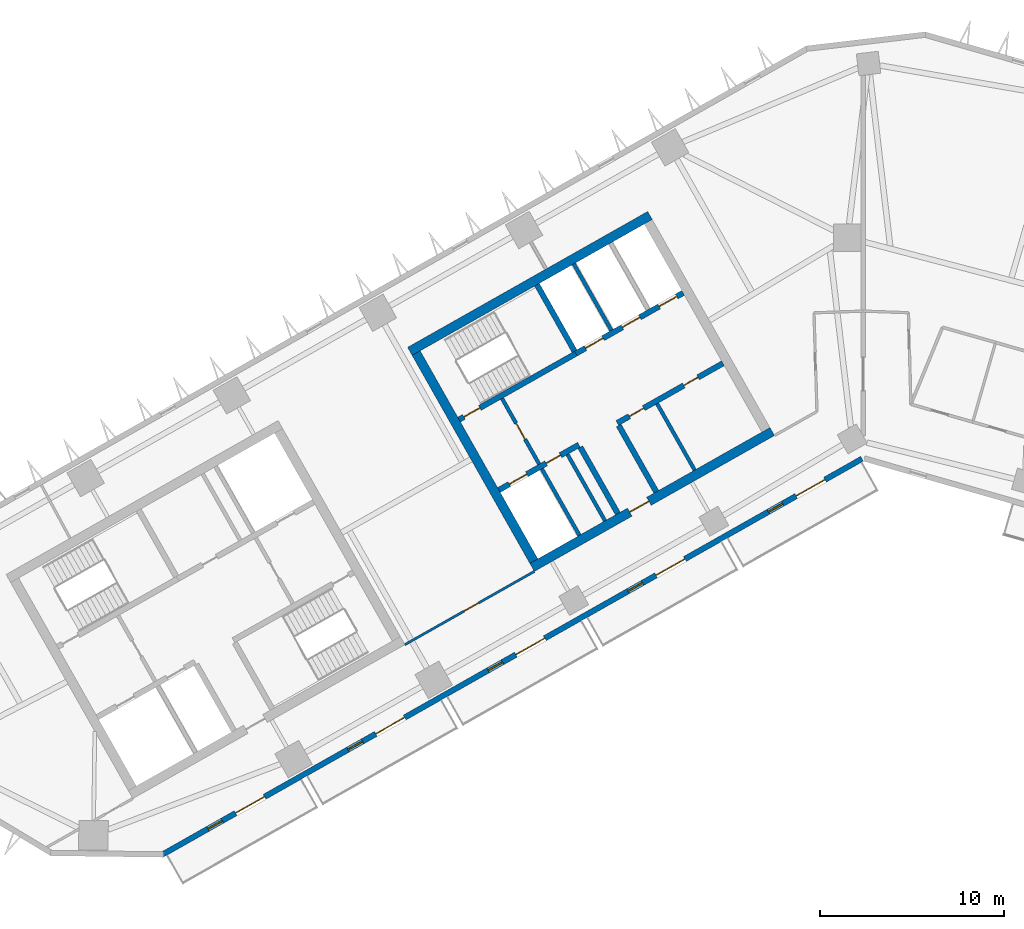
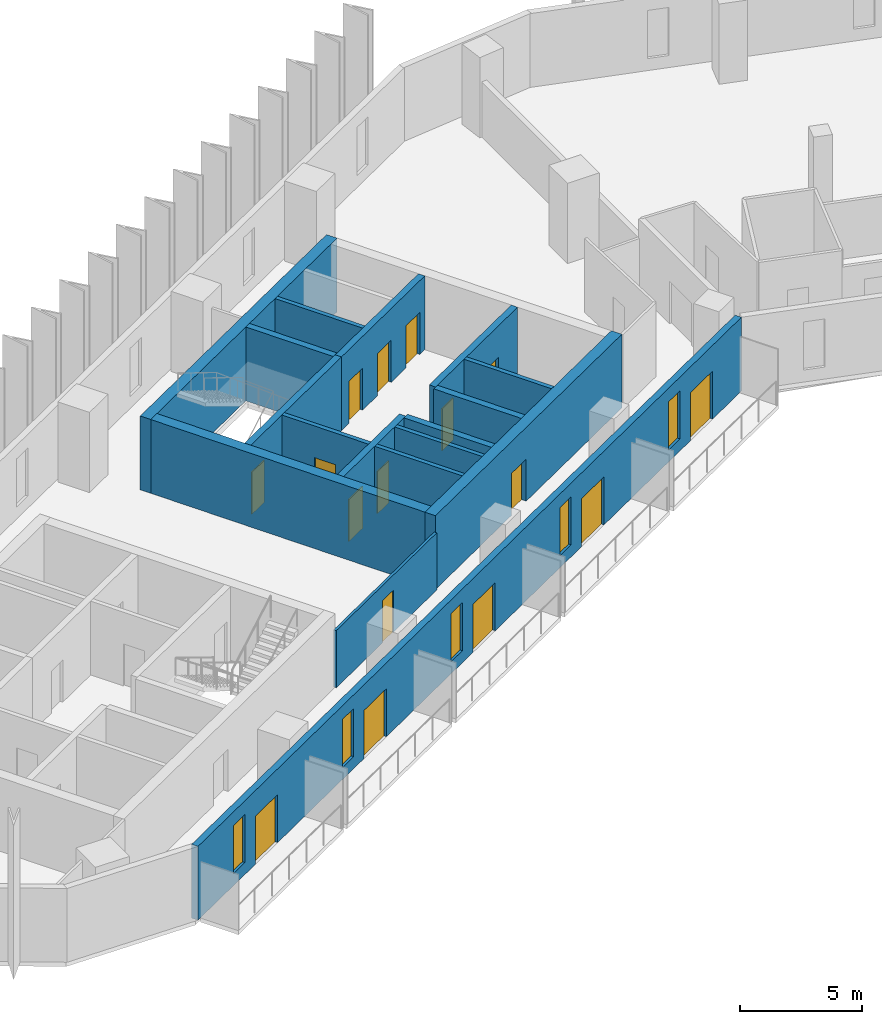
# One storey, part 4 of 10: 17 walls, 16 doors, 5 windows, 21 openings.
"""IFC4 building model written with IfcOpenShell, lengths in metres."""

from ifc_helpers import new_model, si_unit, direction, frame, frame_2d, origin, place, context, subcontext, project, spatial, rectangle, extrude, material, layer, layer_set, type_object, element, fill, save


model = new_model("IFC4")

# Units and contexts
model_context = context("Model", 3, precision=1e-05, world=origin(), true_north=direction((0.0, 1.0)))
body_context = subcontext(model_context, "Body", "Model", "MODEL_VIEW")
ifc_project = project(units=[si_unit("LENGTHUNIT", "METRE"), si_unit("AREAUNIT", "SQUARE_METRE"), si_unit("VOLUMEUNIT", "CUBIC_METRE"), si_unit("PLANEANGLEUNIT", "RADIAN"), si_unit("MASSUNIT", "GRAM", prefix="KILO")], contexts=[model_context])

# Site, building, storey
site_placement = place(None, origin())
site = spatial("IfcSite", under=ifc_project, at=site_placement, CompositionType="ELEMENT")
building_placement = place(site_placement, origin())
building = spatial("IfcBuilding", under=site, at=building_placement, Name="Binnacle Exchange Tower", CompositionType="ELEMENT")
storey_placement = place(building_placement, frame((0.0, 0.0, 170.89990234375)))
storey = spatial("IfcBuildingStorey", under=building, at=storey_placement, Name="L36", CompositionType="ELEMENT", Elevation=170.89990234375)

# Wall
ifc_material_1 = material(Name="Gypsum partition fire rated")
ifc_layer_1 = layer(ifc_material_1, 0.199951171875)
ifc_layer_set_1 = layer_set([ifc_layer_1], Name="Core partition 200")
wall_type_1 = type_object("IfcWallType", Name="Core partition 200", PredefinedType="PARTITIONING", material=ifc_layer_set_1)
wall_1_placement = place(storey_placement, frame((-11.201904296875, 50.96240234375, 0.0), z_axis=(0.0, 0.0, 1.0), x_axis=(0.492441017253, -0.870345818929, 0.0)))
element("IfcWall", 1, at=wall_1_placement, inside=storey, type_object=wall_type_1, Name="Core wall CRWC19", PredefinedType="PARTITIONING", context=body_context, shape_type="SweptSolid", body=[
    extrude(rectangle(XDim=4.150146484375, YDim=0.199951171875, at=frame_2d((2.0751953125, 0.0))), origin(), (0.0, 0.0, 1.0), 3.68017578125),
])

# Wall, openings, doors
ifc_material_2 = material(Name="Concrete C70/85", Category="concrete")
ifc_layer_2 = layer(ifc_material_2, 0.300048828125)
ifc_layer_set_2 = layer_set([ifc_layer_2], Name="Core wall - front 300")
wall_type_2 = type_object("IfcWallType", Name="Core wall - front 300", PredefinedType="SOLIDWALL", material=ifc_layer_set_2)
wall_2_placement = place(storey_placement, frame((-19.80517578125, 46.26708984375, 0.0), z_axis=(0.0, 0.0, 1.0), x_axis=(0.870353598469, 0.492427267353, 0.0)))
wall_2 = element("IfcWall", 2, at=wall_2_placement, inside=storey, type_object=wall_type_2, Name="Core wall CRWC2", PredefinedType="SOLIDWALL", context=body_context, shape_type="SweptSolid", body=[
    extrude(rectangle(XDim=5.0, YDim=0.300048828125, at=frame_2d((2.5, 0.0))), origin(), (0.0, 0.0, 1.0), 3.68017578125),
])
opening_1_placement = place(wall_2_placement, frame((0.64990234375, 0.0, 0.0)))
opening_1 = element("IfcOpeningElement", 3, at=opening_1_placement, cuts=wall_2, Name="Opening LD14", PredefinedType="OPENING", context=body_context, shape_type="SweptSolid", body=[
    extrude(rectangle(XDim=1.10009765625, YDim=2.10009765625, at=frame_2d((0.550048828125, 1.050048828125))), frame((0.0, 0.159912109375, 0.0), z_axis=(0.0, -1.0, 0.0), x_axis=(1.0, 0.0, 0.0)), (0.0, 0.0, 1.0), 0.320068359375),
])
opening_2_placement = place(wall_2_placement, frame((2.949951171875, 0.0, 0.0)))
opening_2 = element("IfcOpeningElement", 4, at=opening_2_placement, cuts=wall_2, Name="Opening DC14", PredefinedType="OPENING", context=body_context, shape_type="SweptSolid", body=[
    extrude(rectangle(XDim=0.89990234375, YDim=2.10009765625, at=frame_2d((0.449951171875, 1.050048828125))), frame((0.0, 0.159912109375, 0.0), z_axis=(0.0, -1.0, 0.0), x_axis=(1.0, 0.0, 0.0)), (0.0, 0.0, 1.0), 0.320068359375),
])
ifc_material_3 = material(Name="Steel door leaf", Category="steel")
door_type_1 = type_object("IfcDoorType", Name="Fire door - lift landing 1100", OperationType="NOTDEFINED", PredefinedType="DOOR", material=ifc_material_3)
door_1_placement = place(opening_1_placement, origin())
door_1 = element("IfcDoor", 5, at=door_1_placement, inside=storey, type_object=door_type_1, Name="Landing door LD14 L36", OperationType="DOUBLE_DOOR_SLIDING", OverallHeight=2.10009765625, OverallWidth=1.10009765625, PredefinedType="DOOR", context=body_context, shape_type="SweptSolid", body=[
    extrude(rectangle(XDim=1.10009765625, YDim=2.10009765625, at=frame_2d((0.550048828125, 1.050048828125))), frame((0.0, 0.02490234375, 0.0), z_axis=(0.0, -1.0, 0.0), x_axis=(1.0, 0.0, 0.0)), (0.0, 0.0, 1.0), 0.050048828125),
])
fill(opening_1, door_1)
door_type_2 = type_object("IfcDoorType", Name="Fire door 900", OperationType="NOTDEFINED", PredefinedType="DOOR", material=ifc_material_3)
door_2_placement = place(opening_2_placement, frame((0.89990234375, 0.0, 0.0), z_axis=(0.0, 0.0, 1.0), x_axis=(-1.0, 0.0, 0.0)))
door_2 = element("IfcDoor", 6, at=door_2_placement, inside=storey, type_object=door_type_2, Name="Core room door CLEANERS STORE", OperationType="SINGLE_SWING_LEFT", OverallHeight=2.10009765625, OverallWidth=0.89990234375, PredefinedType="DOOR", context=body_context, shape_type="SweptSolid", body=[
    extrude(rectangle(XDim=0.89990234375, YDim=2.10009765625, at=frame_2d((0.449951171875, 1.050048828125))), frame((0.0, 0.02490234375, 0.0), z_axis=(0.0, -1.0, 0.0), x_axis=(1.0, 0.0, 0.0)), (0.0, 0.0, 1.0), 0.050048828125),
])
fill(opening_2, door_2)

wall_3_placement = place(storey_placement, frame((-13.364501953125, 49.910888671875, 0.0), z_axis=(0.0, 0.0, 1.0), x_axis=(0.870356769198, 0.492421663121, 0.0)))
wall_3 = element("IfcWall", 7, at=wall_3_placement, inside=storey, type_object=wall_type_2, Name="Core wall CRWC3", PredefinedType="SOLIDWALL", context=body_context, shape_type="SweptSolid", body=[
    extrude(rectangle(XDim=6.60009765625, YDim=0.300048828125, at=frame_2d((3.300048828125, 0.0))), origin(), (0.0, 0.0, 1.0), 3.68017578125),
])
opening_3_placement = place(wall_3_placement, frame((0.75, 0.0, 0.0)))
opening_3 = element("IfcOpeningElement", 8, at=opening_3_placement, cuts=wall_3, Name="Opening DC18", PredefinedType="OPENING", context=body_context, shape_type="SweptSolid", body=[
    extrude(rectangle(XDim=0.89990234375, YDim=2.10009765625, at=frame_2d((0.449951171875, 1.050048828125))), frame((0.0, 0.159912109375, 0.0), z_axis=(0.0, -1.0, 0.0), x_axis=(1.0, 0.0, 0.0)), (0.0, 0.0, 1.0), 0.320068359375),
])
opening_4_placement = place(wall_3_placement, frame((4.14990234375, 0.0, 0.0)))
opening_4 = element("IfcOpeningElement", 9, at=opening_4_placement, cuts=wall_3, Name="Opening DC19", PredefinedType="OPENING", context=body_context, shape_type="SweptSolid", body=[
    extrude(rectangle(XDim=0.89990234375, YDim=2.10009765625, at=frame_2d((0.449951171875, 1.050048828125))), frame((0.0, 0.159912109375, 0.0), z_axis=(0.0, -1.0, 0.0), x_axis=(1.0, 0.0, 0.0)), (0.0, 0.0, 1.0), 0.320068359375),
])
door_3_placement = place(opening_3_placement, frame((0.89990234375, 0.0, 0.0), z_axis=(0.0, 0.0, 1.0), x_axis=(-1.0, 0.0, 0.0)))
door_3 = element("IfcDoor", 10, at=door_3_placement, inside=storey, type_object=door_type_2, Name="Core room door IT STORE", OperationType="SINGLE_SWING_RIGHT", OverallHeight=2.10009765625, OverallWidth=0.89990234375, PredefinedType="DOOR", context=body_context, shape_type="SweptSolid", body=[
    extrude(rectangle(XDim=0.89990234375, YDim=2.10009765625, at=frame_2d((0.449951171875, 1.050048828125))), frame((0.0, 0.02490234375, 0.0), z_axis=(0.0, -1.0, 0.0), x_axis=(1.0, 0.0, 0.0)), (0.0, 0.0, 1.0), 0.050048828125),
])
fill(opening_3, door_3)
door_4_placement = place(opening_4_placement, frame((0.89990234375, 0.0, 0.0), z_axis=(0.0, 0.0, 1.0), x_axis=(-1.0, 0.0, 0.0)))
door_4 = element("IfcDoor", 11, at=door_4_placement, inside=storey, type_object=door_type_2, Name="Core room door TELECOM RISER ROOM", OperationType="SINGLE_SWING_LEFT", OverallHeight=2.10009765625, OverallWidth=0.89990234375, PredefinedType="DOOR", context=body_context, shape_type="SweptSolid", body=[
    extrude(rectangle(XDim=0.89990234375, YDim=2.10009765625, at=frame_2d((0.449951171875, 1.050048828125))), frame((0.0, 0.02490234375, 0.0), z_axis=(0.0, -1.0, 0.0), x_axis=(1.0, 0.0, 0.0)), (0.0, 0.0, 1.0), 0.050048828125),
])
fill(opening_4, door_4)

wall_4_placement = place(storey_placement, frame((-15.6181640625, 53.69140625, 0.0), z_axis=(0.0, 0.0, 1.0), x_axis=(0.870363236066, 0.492410232738, 0.0)))
wall_4 = element("IfcWall", 12, at=wall_4_placement, inside=storey, type_object=wall_type_2, Name="Core wall CRWC5", PredefinedType="SOLIDWALL", context=body_context, shape_type="SweptSolid", body=[
    extrude(rectangle(XDim=6.699951171875, YDim=0.300048828125, at=frame_2d((3.35009765625, 0.0))), origin(), (0.0, 0.0, 1.0), 3.68017578125),
])
opening_5_placement = place(wall_4_placement, frame((0.60009765625, 0.0, 0.0)))
opening_5 = element("IfcOpeningElement", 13, at=opening_5_placement, cuts=wall_4, Name="Opening LD5", PredefinedType="OPENING", context=body_context, shape_type="SweptSolid", body=[
    extrude(rectangle(XDim=1.10009765625, YDim=2.10009765625, at=frame_2d((0.550048828125, 1.050048828125))), frame((0.0, 0.159912109375, 0.0), z_axis=(0.0, -1.0, 0.0), x_axis=(1.0, 0.0, 0.0)), (0.0, 0.0, 1.0), 0.320068359375),
])
opening_6_placement = place(wall_4_placement, frame((2.89990234375, 0.0, 0.0)))
opening_6 = element("IfcOpeningElement", 14, at=opening_6_placement, cuts=wall_4, Name="Opening LD6", PredefinedType="OPENING", context=body_context, shape_type="SweptSolid", body=[
    extrude(rectangle(XDim=1.10009765625, YDim=2.10009765625, at=frame_2d((0.550048828125, 1.050048828125))), frame((0.0, 0.159912109375, 0.0), z_axis=(0.0, -1.0, 0.0), x_axis=(1.0, 0.0, 0.0)), (0.0, 0.0, 1.0), 0.320068359375),
])
opening_7_placement = place(wall_4_placement, frame((5.199951171875, 0.0, 0.0)))
opening_7 = element("IfcOpeningElement", 15, at=opening_7_placement, cuts=wall_4, Name="Opening LD7", PredefinedType="OPENING", context=body_context, shape_type="SweptSolid", body=[
    extrude(rectangle(XDim=1.10009765625, YDim=2.10009765625, at=frame_2d((0.550048828125, 1.050048828125))), frame((0.0, 0.159912109375, 0.0), z_axis=(0.0, -1.0, 0.0), x_axis=(1.0, 0.0, 0.0)), (0.0, 0.0, 1.0), 0.320068359375),
])
door_5_placement = place(opening_5_placement, origin())
door_5 = element("IfcDoor", 16, at=door_5_placement, inside=storey, type_object=door_type_1, Name="Landing door LD5 L36", OperationType="DOUBLE_DOOR_SLIDING", OverallHeight=2.10009765625, OverallWidth=1.10009765625, PredefinedType="DOOR", context=body_context, shape_type="SweptSolid", body=[
    extrude(rectangle(XDim=1.10009765625, YDim=2.10009765625, at=frame_2d((0.550048828125, 1.050048828125))), frame((0.0, 0.02490234375, 0.0), z_axis=(0.0, -1.0, 0.0), x_axis=(1.0, 0.0, 0.0)), (0.0, 0.0, 1.0), 0.050048828125),
])
fill(opening_5, door_5)
door_6_placement = place(opening_6_placement, origin())
door_6 = element("IfcDoor", 17, at=door_6_placement, inside=storey, type_object=door_type_1, Name="Landing door LD6 L36", OperationType="DOUBLE_DOOR_SLIDING", OverallHeight=2.10009765625, OverallWidth=1.10009765625, PredefinedType="DOOR", context=body_context, shape_type="SweptSolid", body=[
    extrude(rectangle(XDim=1.10009765625, YDim=2.10009765625, at=frame_2d((0.550048828125, 1.050048828125))), frame((0.0, 0.02490234375, 0.0), z_axis=(0.0, -1.0, 0.0), x_axis=(1.0, 0.0, 0.0)), (0.0, 0.0, 1.0), 0.050048828125),
])
fill(opening_6, door_6)
door_7_placement = place(opening_7_placement, origin())
door_7 = element("IfcDoor", 18, at=door_7_placement, inside=storey, type_object=door_type_1, Name="Landing door LD7 L36", OperationType="DOUBLE_DOOR_SLIDING", OverallHeight=2.10009765625, OverallWidth=1.10009765625, PredefinedType="DOOR", context=body_context, shape_type="SweptSolid", body=[
    extrude(rectangle(XDim=1.10009765625, YDim=2.10009765625, at=frame_2d((0.550048828125, 1.050048828125))), frame((0.0, 0.02490234375, 0.0), z_axis=(0.0, -1.0, 0.0), x_axis=(1.0, 0.0, 0.0)), (0.0, 0.0, 1.0), 0.050048828125),
])
fill(opening_7, door_7)

# Walls
for number, where, z_axis, x_axis, name in (
    (19, (-15.37939453125, 48.5986328125, 0.0), (0.0, 0.0, 1.0), (0.492396453737, -0.870371031427, 0.0), "Core wall CRWC13"),
    (20, (-13.29052734375, 49.780517578125, 0.0), (0.0, 0.0, 1.0), (0.492396453737, -0.870371031427, 0.0), "Core wall CRWC15"),
):
    element("IfcWall", number, at=place(storey_placement, frame(where, z_axis=z_axis, x_axis=x_axis)), inside=storey, type_object=wall_type_2, Name=name, PredefinedType="SOLIDWALL", context=body_context, shape_type="SweptSolid", body=[
        extrude(rectangle(XDim=4.14990234375, YDim=0.300048828125, at=frame_2d((2.074951171875, 0.0))), origin(), (0.0, 0.0, 1.0), 3.68017578125),
    ])

# Wall, opening, door
ifc_layer_3 = layer(ifc_material_2, 0.5)
ifc_layer_set_3 = layer_set([ifc_layer_3], Name="Core wall - outer 500")
wall_type_3 = type_object("IfcWallType", Name="Core wall - outer 500", PredefinedType="SOLIDWALL", material=ifc_layer_set_3)
wall_5_placement = place(storey_placement, frame((-17.999755859375, 42.060791015625, 0.0), z_axis=(0.0, 0.0, 1.0), x_axis=(0.870356627484, 0.492421913601, 0.0)))
wall_5 = element("IfcWall", 21, at=wall_5_placement, inside=storey, type_object=wall_type_3, Name="Core wall CRWC1", PredefinedType="SOLIDWALL", context=body_context, shape_type="SweptSolid", body=[
    extrude(rectangle(XDim=14.999755859375, YDim=0.5, at=frame_2d((7.5, 0.0))), origin(), (0.0, 0.0, 1.0), 3.68017578125),
])
opening_8_placement = place(wall_5_placement, frame((6.10009765625, 0.0, 0.0)))
opening_8 = element("IfcOpeningElement", 22, at=opening_8_placement, cuts=wall_5, Name="Opening DC7", PredefinedType="OPENING", context=body_context, shape_type="SweptSolid", body=[
    extrude(rectangle(XDim=1.199951171875, YDim=2.10009765625, at=frame_2d((0.60009765625, 1.050048828125))), frame((0.0, 0.260009765625, 0.0), z_axis=(0.0, -1.0, 0.0), x_axis=(1.0, 0.0, 0.0)), (0.0, 0.0, 1.0), 0.52001953125),
])
door_type_3 = type_object("IfcDoorType", Name="Fire door 1200", OperationType="NOTDEFINED", PredefinedType="DOOR", material=ifc_material_3)
door_8_placement = place(opening_8_placement, frame((1.199951171875, 0.0, 0.0), z_axis=(0.0, 0.0, 1.0), x_axis=(-1.0, 0.0, 0.0)))
door_8 = element("IfcDoor", 23, at=door_8_placement, inside=storey, type_object=door_type_3, Name="Lift lobby entrance door core C", OperationType="SINGLE_SWING_RIGHT", OverallHeight=2.10009765625, OverallWidth=1.199951171875, PredefinedType="DOOR", context=body_context, shape_type="SweptSolid", body=[
    extrude(rectangle(XDim=1.199951171875, YDim=2.10009765625, at=frame_2d((0.60009765625, 1.050048828125))), frame((0.0, 0.02490234375, 0.0), z_axis=(0.0, -1.0, 0.0), x_axis=(1.0, 0.0, 0.0)), (0.0, 0.0, 1.0), 0.050048828125),
])
fill(opening_8, door_8)

# Walls
wall_6_placement = place(storey_placement, frame((-24.6474609375, 53.810546875, 0.0), z_axis=(0.0, 0.0, 1.0), x_axis=(0.87034965173, 0.492434243055, 0.0)))
element("IfcWall", 24, at=wall_6_placement, inside=storey, type_object=wall_type_3, Name="Core wall CRWC6", PredefinedType="SOLIDWALL", context=body_context, shape_type="SweptSolid", body=[
    extrude(rectangle(XDim=15.0, YDim=0.5, at=frame_2d((7.5, 0.0))), origin(), (0.0, 0.0, 1.0), 3.68017578125),
])
wall_7_placement = place(storey_placement, frame((-24.306884765625, 53.716064453125, 0.0), z_axis=(0.0, 0.0, 1.0), x_axis=(0.492427267353, -0.870353598469, 0.0)))
element("IfcWall", 25, at=wall_7_placement, inside=storey, type_object=wall_type_3, Name="Core wall CRWC7", PredefinedType="SOLIDWALL", context=body_context, shape_type="SweptSolid", body=[
    extrude(rectangle(XDim=13.0, YDim=0.5, at=frame_2d((6.5, 0.0))), origin(), (0.0, 0.0, 1.0), 3.68017578125),
])

# Wall, opening, door
ifc_layer_4 = layer(ifc_material_2, 0.300048828125)
ifc_layer_set_4 = layer_set([ifc_layer_4], Name="Core wall - stair 300")
wall_type_4 = type_object("IfcWallType", Name="Core wall - stair 300", PredefinedType="SOLIDWALL", material=ifc_layer_set_4)
wall_8_placement = place(storey_placement, frame((-21.9716796875, 50.0966796875, 0.0), z_axis=(0.0, 0.0, 1.0), x_axis=(0.870350976978, 0.492431900747, 0.0)))
wall_8 = element("IfcWall", 26, at=wall_8_placement, inside=storey, type_object=wall_type_4, Name="Core wall CRWC4", PredefinedType="SOLIDWALL", context=body_context, shape_type="SweptSolid", body=[
    extrude(rectangle(XDim=7.300048828125, YDim=0.300048828125, at=frame_2d((3.64990234375, 0.0))), origin(), (0.0, 0.0, 1.0), 3.68017578125),
])
opening_9_placement = place(wall_8_placement, frame((0.300048828125, 0.0, 0.0)))
opening_9 = element("IfcOpeningElement", 27, at=opening_9_placement, cuts=wall_8, Name="Opening DC1", PredefinedType="OPENING", context=body_context, shape_type="SweptSolid", body=[
    extrude(rectangle(XDim=1.0, YDim=2.10009765625, at=frame_2d((0.5, 1.050048828125))), frame((0.0, 0.159912109375, 0.0), z_axis=(0.0, -1.0, 0.0), x_axis=(1.0, 0.0, 0.0)), (0.0, 0.0, 1.0), 0.320068359375),
])
door_type_4 = type_object("IfcDoorType", Name="Fire door 1000", OperationType="NOTDEFINED", PredefinedType="DOOR", material=ifc_material_3)
door_9_placement = place(opening_9_placement, origin())
door_9 = element("IfcDoor", 28, at=door_9_placement, inside=storey, type_object=door_type_4, Name="Stair door ST-C1", OperationType="SINGLE_SWING_LEFT", OverallHeight=2.10009765625, OverallWidth=1.0, PredefinedType="DOOR", context=body_context, shape_type="SweptSolid", body=[
    extrude(rectangle(XDim=1.0, YDim=2.10009765625, at=frame_2d((0.5, 1.050048828125))), frame((0.0, 0.02490234375, 0.0), z_axis=(0.0, -1.0, 0.0), x_axis=(1.0, 0.0, 0.0)), (0.0, 0.0, 1.0), 0.050048828125),
])
fill(opening_9, door_9)

# Wall
wall_9_placement = place(storey_placement, frame((-17.735595703125, 57.433837890625, 0.0), z_axis=(0.0, 0.0, 1.0), x_axis=(0.492421666909, -0.870356767055, 0.0)))
element("IfcWall", 29, at=wall_9_placement, inside=storey, type_object=wall_type_4, Name="Core wall CRWC14", PredefinedType="SOLIDWALL", context=body_context, shape_type="SweptSolid", body=[
    extrude(rectangle(XDim=4.14990234375, YDim=0.300048828125, at=frame_2d((2.074951171875, 0.0))), origin(), (0.0, 0.0, 1.0), 3.68017578125),
])

# Wall, openings, doors, windows
ifc_material_4 = material(Name="Bronze aluminium cladding", Category="aluminium")
ifc_layer_5 = layer(ifc_material_4, 0.300048828125)
ifc_layer_set_5 = layer_set([ifc_layer_5], Name="External wall - spandrel 300")
wall_type_5 = type_object("IfcWallType", Name="External wall - spandrel 300", PredefinedType="STANDARD", material=ifc_layer_set_5)
wall_10_placement = place(storey_placement, frame((-0.0546875, 47.968994140625, 0.0), z_axis=(0.0, 0.0, 1.0), x_axis=(-0.870355730478, -0.492423499058, 0.0)))
wall_10 = element("IfcWall", 30, at=wall_10_placement, inside=storey, type_object=wall_type_5, Name="External wall EW-G01 L36", PredefinedType="STANDARD", context=body_context, shape_type="SweptSolid", body=[
    extrude(rectangle(XDim=43.750244140625, YDim=0.300048828125, at=frame_2d((21.875, 0.0))), origin(), (0.0, 0.0, 1.0), 3.68017578125),
])
opening_10_placement = place(wall_10_placement, frame((39.976806640625, 0.0, 0.60009765625)))
opening_10 = element("IfcOpeningElement", 31, at=opening_10_placement, cuts=wall_10, Name="Opening WS3", PredefinedType="OPENING", context=body_context, shape_type="SweptSolid", body=[
    extrude(rectangle(XDim=0.89990234375, YDim=2.39990234375, at=frame_2d((0.449951171875, 1.199951171875))), frame((0.0, 0.159912109375, 0.0), z_axis=(0.0, -1.0, 0.0), x_axis=(1.0, 0.0, 0.0)), (0.0, 0.0, 1.0), 0.320068359375),
])
opening_11_placement = place(wall_10_placement, frame((37.338134765625, 0.0, 0.0)))
opening_11 = element("IfcOpeningElement", 32, at=opening_11_placement, cuts=wall_10, Name="Opening D-FS11-01", PredefinedType="OPENING", context=body_context, shape_type="SweptSolid", body=[
    extrude(rectangle(XDim=1.800048828125, YDim=2.39990234375, at=frame_2d((0.89990234375, 1.199951171875))), frame((0.0, 0.159912109375, 0.0), z_axis=(0.0, -1.0, 0.0), x_axis=(1.0, 0.0, 0.0)), (0.0, 0.0, 1.0), 0.320068359375),
])
opening_12_placement = place(wall_10_placement, frame((31.222412109375, 0.0, 0.60009765625)))
opening_12 = element("IfcOpeningElement", 33, at=opening_12_placement, cuts=wall_10, Name="Opening WS3", PredefinedType="OPENING", context=body_context, shape_type="SweptSolid", body=[
    extrude(rectangle(XDim=0.89990234375, YDim=2.39990234375, at=frame_2d((0.449951171875, 1.199951171875))), frame((0.0, 0.159912109375, 0.0), z_axis=(0.0, -1.0, 0.0), x_axis=(1.0, 0.0, 0.0)), (0.0, 0.0, 1.0), 0.320068359375),
])
opening_13_placement = place(wall_10_placement, frame((28.583740234375, 0.0, 0.0)))
opening_13 = element("IfcOpeningElement", 34, at=opening_13_placement, cuts=wall_10, Name="Opening D-FS11-02", PredefinedType="OPENING", context=body_context, shape_type="SweptSolid", body=[
    extrude(rectangle(XDim=1.800048828125, YDim=2.39990234375, at=frame_2d((0.89990234375, 1.199951171875))), frame((0.0, 0.159912109375, 0.0), z_axis=(0.0, -1.0, 0.0), x_axis=(1.0, 0.0, 0.0)), (0.0, 0.0, 1.0), 0.320068359375),
])
opening_14_placement = place(wall_10_placement, frame((22.4677734375, 0.0, 0.60009765625)))
opening_14 = element("IfcOpeningElement", 35, at=opening_14_placement, cuts=wall_10, Name="Opening WS3", PredefinedType="OPENING", context=body_context, shape_type="SweptSolid", body=[
    extrude(rectangle(XDim=0.89990234375, YDim=2.39990234375, at=frame_2d((0.449951171875, 1.199951171875))), frame((0.0, 0.159912109375, 0.0), z_axis=(0.0, -1.0, 0.0), x_axis=(1.0, 0.0, 0.0)), (0.0, 0.0, 1.0), 0.320068359375),
])
opening_15_placement = place(wall_10_placement, frame((19.8291015625, 0.0, 0.0)))
opening_15 = element("IfcOpeningElement", 36, at=opening_15_placement, cuts=wall_10, Name="Opening D-FS11-03", PredefinedType="OPENING", context=body_context, shape_type="SweptSolid", body=[
    extrude(rectangle(XDim=1.800048828125, YDim=2.39990234375, at=frame_2d((0.89990234375, 1.199951171875))), frame((0.0, 0.159912109375, 0.0), z_axis=(0.0, -1.0, 0.0), x_axis=(1.0, 0.0, 0.0)), (0.0, 0.0, 1.0), 0.320068359375),
])
opening_16_placement = place(wall_10_placement, frame((13.713134765625, 0.0, 0.60009765625)))
opening_16 = element("IfcOpeningElement", 37, at=opening_16_placement, cuts=wall_10, Name="Opening WS3", PredefinedType="OPENING", context=body_context, shape_type="SweptSolid", body=[
    extrude(rectangle(XDim=0.89990234375, YDim=2.39990234375, at=frame_2d((0.449951171875, 1.199951171875))), frame((0.0, 0.159912109375, 0.0), z_axis=(0.0, -1.0, 0.0), x_axis=(1.0, 0.0, 0.0)), (0.0, 0.0, 1.0), 0.320068359375),
])
opening_17_placement = place(wall_10_placement, frame((11.07470703125, 0.0, 0.0)))
opening_17 = element("IfcOpeningElement", 38, at=opening_17_placement, cuts=wall_10, Name="Opening D-FS11-04", PredefinedType="OPENING", context=body_context, shape_type="SweptSolid", body=[
    extrude(rectangle(XDim=1.800048828125, YDim=2.39990234375, at=frame_2d((0.89990234375, 1.199951171875))), frame((0.0, 0.159912109375, 0.0), z_axis=(0.0, -1.0, 0.0), x_axis=(1.0, 0.0, 0.0)), (0.0, 0.0, 1.0), 0.320068359375),
])
opening_18_placement = place(wall_10_placement, frame((4.958740234375, 0.0, 0.60009765625)))
opening_18 = element("IfcOpeningElement", 39, at=opening_18_placement, cuts=wall_10, Name="Opening WS3", PredefinedType="OPENING", context=body_context, shape_type="SweptSolid", body=[
    extrude(rectangle(XDim=0.89990234375, YDim=2.39990234375, at=frame_2d((0.449951171875, 1.199951171875))), frame((0.0, 0.159912109375, 0.0), z_axis=(0.0, -1.0, 0.0), x_axis=(1.0, 0.0, 0.0)), (0.0, 0.0, 1.0), 0.320068359375),
])
opening_19_placement = place(wall_10_placement, frame((2.320068359375, 0.0, 0.0)))
opening_19 = element("IfcOpeningElement", 40, at=opening_19_placement, cuts=wall_10, Name="Opening D-FS11-05", PredefinedType="OPENING", context=body_context, shape_type="SweptSolid", body=[
    extrude(rectangle(XDim=1.800048828125, YDim=2.39990234375, at=frame_2d((0.89990234375, 1.199951171875))), frame((0.0, 0.159912109375, 0.0), z_axis=(0.0, -1.0, 0.0), x_axis=(1.0, 0.0, 0.0)), (0.0, 0.0, 1.0), 0.320068359375),
])
ifc_material_5 = material(Name="Bronze anodised aluminium frame", Category="aluminium")
door_type_5 = type_object("IfcDoorType", Name="DB DOOR 1800x2400", OperationType="DOUBLE_DOOR_SINGLE_SWING", PredefinedType="DOOR", material=ifc_material_5)
door_10_placement = place(opening_11_placement, origin())
door_10 = element("IfcDoor", 41, at=door_10_placement, inside=storey, type_object=door_type_5, Name="Door D-FS11-01 L36", OperationType="DOUBLE_DOOR_SINGLE_SWING", OverallHeight=2.39990234375, OverallWidth=1.800048828125, PredefinedType="DOOR", context=body_context, shape_type="SweptSolid", body=[
    extrude(rectangle(XDim=1.800048828125, YDim=2.39990234375, at=frame_2d((0.89990234375, 1.199951171875))), frame((0.0, 0.02490234375, 0.0), z_axis=(0.0, -1.0, 0.0), x_axis=(1.0, 0.0, 0.0)), (0.0, 0.0, 1.0), 0.050048828125),
])
fill(opening_11, door_10)
door_11_placement = place(opening_13_placement, origin())
door_11 = element("IfcDoor", 42, at=door_11_placement, inside=storey, type_object=door_type_5, Name="Door D-FS11-02 L36", OperationType="DOUBLE_DOOR_SINGLE_SWING", OverallHeight=2.39990234375, OverallWidth=1.800048828125, PredefinedType="DOOR", context=body_context, shape_type="SweptSolid", body=[
    extrude(rectangle(XDim=1.800048828125, YDim=2.39990234375, at=frame_2d((0.89990234375, 1.199951171875))), frame((0.0, 0.02490234375, 0.0), z_axis=(0.0, -1.0, 0.0), x_axis=(1.0, 0.0, 0.0)), (0.0, 0.0, 1.0), 0.050048828125),
])
fill(opening_13, door_11)
door_12_placement = place(opening_15_placement, origin())
door_12 = element("IfcDoor", 43, at=door_12_placement, inside=storey, type_object=door_type_5, Name="Door D-FS11-03 L36", OperationType="DOUBLE_DOOR_SINGLE_SWING", OverallHeight=2.39990234375, OverallWidth=1.800048828125, PredefinedType="DOOR", context=body_context, shape_type="SweptSolid", body=[
    extrude(rectangle(XDim=1.800048828125, YDim=2.39990234375, at=frame_2d((0.89990234375, 1.199951171875))), frame((0.0, 0.02490234375, 0.0), z_axis=(0.0, -1.0, 0.0), x_axis=(1.0, 0.0, 0.0)), (0.0, 0.0, 1.0), 0.050048828125),
])
fill(opening_15, door_12)
door_13_placement = place(opening_17_placement, origin())
door_13 = element("IfcDoor", 44, at=door_13_placement, inside=storey, type_object=door_type_5, Name="Door D-FS11-04 L36", OperationType="DOUBLE_DOOR_SINGLE_SWING", OverallHeight=2.39990234375, OverallWidth=1.800048828125, PredefinedType="DOOR", context=body_context, shape_type="SweptSolid", body=[
    extrude(rectangle(XDim=1.800048828125, YDim=2.39990234375, at=frame_2d((0.89990234375, 1.199951171875))), frame((0.0, 0.02490234375, 0.0), z_axis=(0.0, -1.0, 0.0), x_axis=(1.0, 0.0, 0.0)), (0.0, 0.0, 1.0), 0.050048828125),
])
fill(opening_17, door_13)
door_14_placement = place(opening_19_placement, origin())
door_14 = element("IfcDoor", 45, at=door_14_placement, inside=storey, type_object=door_type_5, Name="Door D-FS11-05 L36", OperationType="DOUBLE_DOOR_SINGLE_SWING", OverallHeight=2.39990234375, OverallWidth=1.800048828125, PredefinedType="DOOR", context=body_context, shape_type="SweptSolid", body=[
    extrude(rectangle(XDim=1.800048828125, YDim=2.39990234375, at=frame_2d((0.89990234375, 1.199951171875))), frame((0.0, 0.02490234375, 0.0), z_axis=(0.0, -1.0, 0.0), x_axis=(1.0, 0.0, 0.0)), (0.0, 0.0, 1.0), 0.050048828125),
])
fill(opening_19, door_14)
window_type = type_object("IfcWindowType", Name="WS3 WINDOW 900x2400", PartitioningType="SINGLE_PANEL", PredefinedType="WINDOW", material=ifc_material_5)
window_1_placement = place(opening_10_placement, origin())
window_1 = element("IfcWindow", 46, at=window_1_placement, inside=storey, type_object=window_type, Name="Window WS3 L36", OverallHeight=2.39990234375, OverallWidth=0.89990234375, PartitioningType="SINGLE_PANEL", PredefinedType="WINDOW", context=body_context, shape_type="SweptSolid", body=[
    extrude(rectangle(XDim=0.89990234375, YDim=2.39990234375, at=frame_2d((0.449951171875, 1.199951171875))), frame((0.0, 0.030029296875, 0.0), z_axis=(0.0, -1.0, 0.0), x_axis=(1.0, 0.0, 0.0)), (0.0, 0.0, 1.0), 0.06005859375),
])
fill(opening_10, window_1)
window_2_placement = place(opening_12_placement, origin())
window_2 = element("IfcWindow", 47, at=window_2_placement, inside=storey, type_object=window_type, Name="Window WS3 L36", OverallHeight=2.39990234375, OverallWidth=0.89990234375, PartitioningType="SINGLE_PANEL", PredefinedType="WINDOW", context=body_context, shape_type="SweptSolid", body=[
    extrude(rectangle(XDim=0.89990234375, YDim=2.39990234375, at=frame_2d((0.449951171875, 1.199951171875))), frame((0.0, 0.030029296875, 0.0), z_axis=(0.0, -1.0, 0.0), x_axis=(1.0, 0.0, 0.0)), (0.0, 0.0, 1.0), 0.06005859375),
])
fill(opening_12, window_2)
window_3_placement = place(opening_14_placement, origin())
window_3 = element("IfcWindow", 48, at=window_3_placement, inside=storey, type_object=window_type, Name="Window WS3 L36", OverallHeight=2.39990234375, OverallWidth=0.89990234375, PartitioningType="SINGLE_PANEL", PredefinedType="WINDOW", context=body_context, shape_type="SweptSolid", body=[
    extrude(rectangle(XDim=0.89990234375, YDim=2.39990234375, at=frame_2d((0.449951171875, 1.199951171875))), frame((0.0, 0.030029296875, 0.0), z_axis=(0.0, -1.0, 0.0), x_axis=(1.0, 0.0, 0.0)), (0.0, 0.0, 1.0), 0.06005859375),
])
fill(opening_14, window_3)
window_4_placement = place(opening_16_placement, origin())
window_4 = element("IfcWindow", 49, at=window_4_placement, inside=storey, type_object=window_type, Name="Window WS3 L36", OverallHeight=2.39990234375, OverallWidth=0.89990234375, PartitioningType="SINGLE_PANEL", PredefinedType="WINDOW", context=body_context, shape_type="SweptSolid", body=[
    extrude(rectangle(XDim=0.89990234375, YDim=2.39990234375, at=frame_2d((0.449951171875, 1.199951171875))), frame((0.0, 0.030029296875, 0.0), z_axis=(0.0, -1.0, 0.0), x_axis=(1.0, 0.0, 0.0)), (0.0, 0.0, 1.0), 0.06005859375),
])
fill(opening_16, window_4)
window_5_placement = place(opening_18_placement, origin())
window_5 = element("IfcWindow", 50, at=window_5_placement, inside=storey, type_object=window_type, Name="Window WS3 L36", OverallHeight=2.39990234375, OverallWidth=0.89990234375, PartitioningType="SINGLE_PANEL", PredefinedType="WINDOW", context=body_context, shape_type="SweptSolid", body=[
    extrude(rectangle(XDim=0.89990234375, YDim=2.39990234375, at=frame_2d((0.449951171875, 1.199951171875))), frame((0.0, 0.030029296875, 0.0), z_axis=(0.0, -1.0, 0.0), x_axis=(1.0, 0.0, 0.0)), (0.0, 0.0, 1.0), 0.06005859375),
])
fill(opening_18, window_5)

# Wall, opening, door
ifc_material_6 = material(Name="Masonry block wall", Category="masonry")
ifc_layer_6 = layer(ifc_material_6, 0.199951171875)
ifc_layer_set_6 = layer_set([ifc_layer_6], Name="Fire wall - vestibule 200")
wall_type_6 = type_object("IfcWallType", Name="Fire wall - vestibule 200", PredefinedType="PARTITIONING", material=ifc_layer_set_6)
wall_11_placement = place(storey_placement, frame((-19.635009765625, 51.246337890625, 0.0), z_axis=(0.0, 0.0, 1.0), x_axis=(0.492408451753, -0.87036424366, 0.0)))
wall_11 = element("IfcWall", 51, at=wall_11_placement, inside=storey, type_object=wall_type_6, Name="Core wall CRWC10", PredefinedType="PARTITIONING", context=body_context, shape_type="SweptSolid", body=[
    extrude(rectangle(XDim=4.099853515625, YDim=0.199951171875, at=frame_2d((2.0498046875, 0.0))), origin(), (0.0, 0.0, 1.0), 3.68017578125),
])
opening_20_placement = place(wall_11_placement, frame((1.550048828125, 0.0, 0.0)))
opening_20 = element("IfcOpeningElement", 52, at=opening_20_placement, cuts=wall_11, Name="Opening DC3", PredefinedType="OPENING", context=body_context, shape_type="SweptSolid", body=[
    extrude(rectangle(XDim=1.0, YDim=2.10009765625, at=frame_2d((0.5, 1.050048828125))), frame((0.0, 0.10986328125, 0.0), z_axis=(0.0, -1.0, 0.0), x_axis=(1.0, 0.0, 0.0)), (0.0, 0.0, 1.0), 0.219970703125),
])
door_15_placement = place(opening_20_placement, frame((1.0, 0.0, 0.0), z_axis=(0.0, 0.0, 1.0), x_axis=(-1.0, 0.0, 0.0)))
door_15 = element("IfcDoor", 53, at=door_15_placement, inside=storey, type_object=door_type_4, Name="Vestibule door VEST-W", OperationType="SINGLE_SWING_RIGHT", OverallHeight=2.10009765625, OverallWidth=1.0, PredefinedType="DOOR", context=body_context, shape_type="SweptSolid", body=[
    extrude(rectangle(XDim=1.0, YDim=2.10009765625, at=frame_2d((0.5, 1.050048828125))), frame((0.0, 0.02490234375, 0.0), z_axis=(0.0, -1.0, 0.0), x_axis=(1.0, 0.0, 0.0)), (0.0, 0.0, 1.0), 0.050048828125),
])
fill(opening_20, door_15)

ifc_material_7 = material(Name="Gypsum partition")
ifc_layer_7 = layer(ifc_material_7, 0.125)
ifc_layer_set_7 = layer_set([ifc_layer_7], Name="Partition 125")
wall_type_7 = type_object("IfcWallType", Name="Partition 125", PredefinedType="PARTITIONING", material=ifc_layer_set_7)
wall_12_placement = place(storey_placement, frame((-24.9189453125, 37.85888671875, 0.0), z_axis=(0.0, 0.0, 1.0), x_axis=(0.870357635969, 0.492420131098, 0.0)))
wall_12 = element("IfcWall", 54, at=wall_12_placement, inside=storey, type_object=wall_type_7, Name="Partition W04", PredefinedType="PARTITIONING", context=body_context, shape_type="SweptSolid", body=[
    extrude(rectangle(XDim=8.0908203125, YDim=0.125, at=frame_2d((4.04541015625, 0.0))), origin(), (0.0, 0.0, 1.0), 2.85205078125),
])
opening_21_placement = place(wall_12_placement, frame((3.699951171875, 0.0, 0.0)))
opening_21 = element("IfcOpeningElement", 55, at=opening_21_placement, cuts=wall_12, Name="Opening DL35-02", PredefinedType="OPENING", context=body_context, shape_type="SweptSolid", body=[
    extrude(rectangle(XDim=0.89990234375, YDim=2.10009765625, at=frame_2d((0.449951171875, 1.050048828125))), frame((0.0, 0.072509765625, 0.0), z_axis=(0.0, -1.0, 0.0), x_axis=(1.0, 0.0, 0.0)), (0.0, 0.0, 1.0), 0.14501953125),
])
ifc_material_8 = material(Name="Timber door leaf", Category="wood")
door_type_6 = type_object("IfcDoorType", Name="Door 900", OperationType="NOTDEFINED", PredefinedType="DOOR", material=ifc_material_8)
door_16_placement = place(opening_21_placement, origin())
door_16 = element("IfcDoor", 56, at=door_16_placement, inside=storey, type_object=door_type_6, Name="Door DL35-02", OperationType="SINGLE_SWING_RIGHT", OverallHeight=2.10009765625, OverallWidth=0.89990234375, PredefinedType="DOOR", context=body_context, shape_type="SweptSolid", body=[
    extrude(rectangle(XDim=0.89990234375, YDim=2.10009765625, at=frame_2d((0.449951171875, 1.050048828125))), frame((0.0, 0.02490234375, 0.0), z_axis=(0.0, -1.0, 0.0), x_axis=(1.0, 0.0, 0.0)), (0.0, 0.0, 1.0), 0.050048828125),
])
fill(opening_21, door_16)

# Walls
ifc_layer_8 = layer(ifc_material_6, 0.199951171875)
ifc_layer_set_8 = layer_set([ifc_layer_8], Name="Riser wall 200")
wall_type_8 = type_object("IfcWallType", Name="Riser wall 200", PredefinedType="SOLIDWALL", material=ifc_layer_set_8)
wall_13_placement = place(storey_placement, frame((-16.07568359375, 48.20458984375, 0.0), z_axis=(0.0, 0.0, 1.0), x_axis=(0.492421666909, -0.870356767055, 0.0)))
element("IfcWall", 57, at=wall_13_placement, inside=storey, type_object=wall_type_8, Name="Core wall CRWC12", PredefinedType="SOLIDWALL", context=body_context, shape_type="SweptSolid", body=[
    extrude(rectangle(XDim=4.14990234375, YDim=0.199951171875, at=frame_2d((2.074951171875, 0.0))), origin(), (0.0, 0.0, 1.0), 3.68017578125),
])
ifc_layer_9 = layer(ifc_material_6, 0.199951171875)
ifc_layer_set_9 = layer_set([ifc_layer_9], Name="Shaft wall 200")
wall_type_9 = type_object("IfcWallType", Name="Shaft wall 200", PredefinedType="SOLIDWALL", material=ifc_layer_set_9)
for number, where, z_axis, x_axis, name in (
    (58, (-17.468505859375, 47.416748046875, 0.0), (0.0, 0.0, 1.0), (0.492441017253, -0.870345818929, 0.0), "Core wall CRWC9"),
    (59, (-15.73388671875, 58.56640625, 0.0), (0.0, 0.0, 1.0), (0.492441017253, -0.870345818929, 0.0), "Core wall CRWC18"),
):
    element("IfcWall", number, at=place(storey_placement, frame(where, z_axis=z_axis, x_axis=x_axis)), inside=storey, type_object=wall_type_9, Name=name, PredefinedType="SOLIDWALL", context=body_context, shape_type="SweptSolid", body=[
        extrude(rectangle(XDim=4.150146484375, YDim=0.199951171875, at=frame_2d((2.0751953125, 0.0))), origin(), (0.0, 0.0, 1.0), 3.68017578125),
    ])

save(model, "model.ifc")
